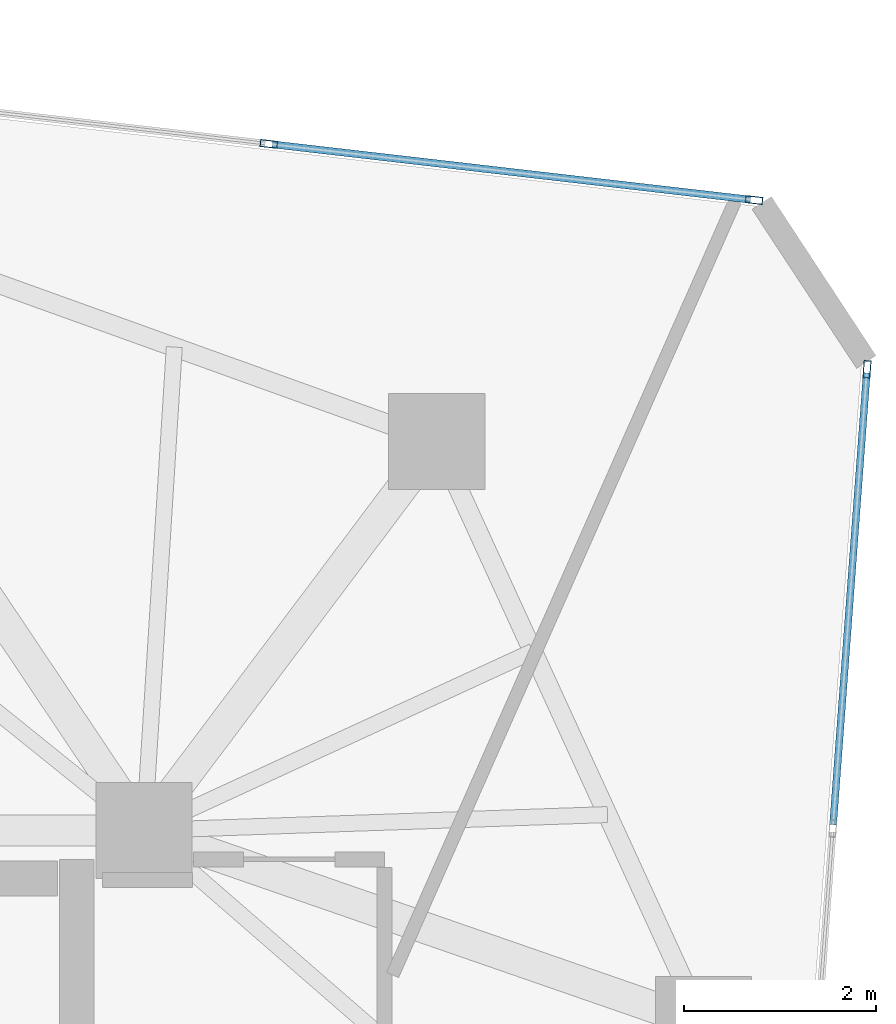
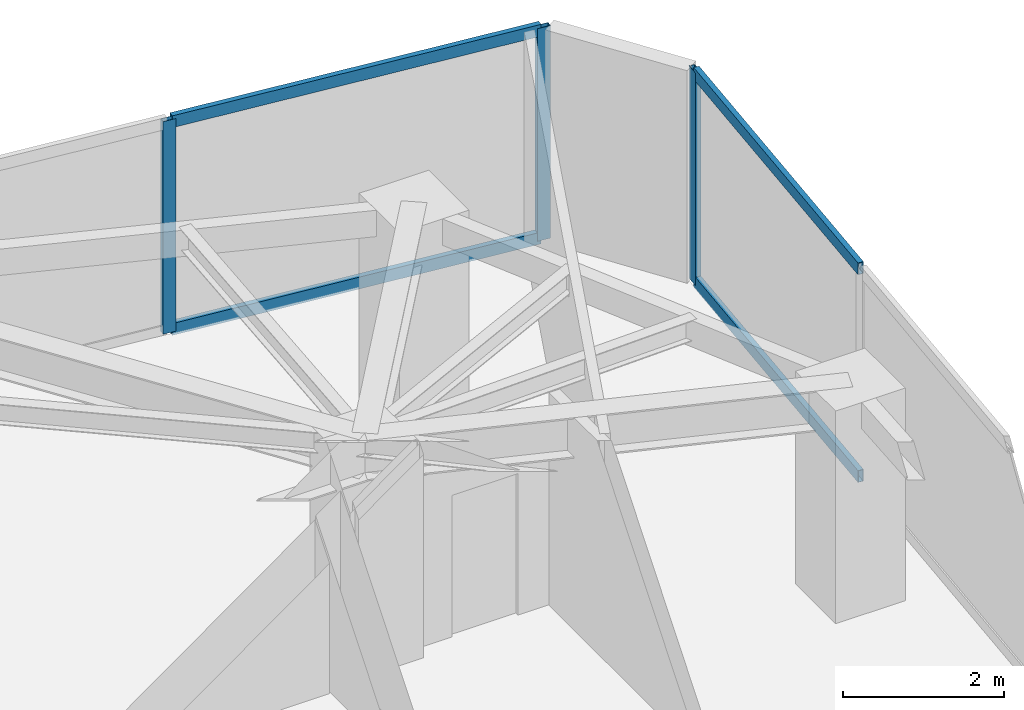
# One storey, part 14 of 19: 7 members, 2 elements without a shape of their own.
"""IFC4 building model written with IfcOpenShell, lengths in metres."""

from ifc_helpers import new_model, si_unit, direction, frame, origin, origin_2d, place, context, subcontext, project, spatial, hollow_rectangle, extrude, source, transform, mapped, material, layer, layer_set, material_profile, profile_set, type_object, type_shapes, element, aggregate, save


model = new_model("IFC4")

# Units and contexts
model_context = context("Model", 3, precision=1e-05, world=origin(), true_north=direction((0.0, 1.0)))
body_context = subcontext(model_context, "Body", "Model", "MODEL_VIEW")
ifc_project = project(units=[si_unit("LENGTHUNIT", "METRE"), si_unit("AREAUNIT", "SQUARE_METRE"), si_unit("VOLUMEUNIT", "CUBIC_METRE"), si_unit("PLANEANGLEUNIT", "RADIAN"), si_unit("MASSUNIT", "GRAM", prefix="KILO")], contexts=[model_context])

# Site, building, storey
site_placement = place(None, origin())
site = spatial("IfcSite", under=ifc_project, at=site_placement, CompositionType="ELEMENT")
building_placement = place(site_placement, origin())
building = spatial("IfcBuilding", under=site, at=building_placement, Name="Talar Marvaseh", CompositionType="ELEMENT")
storey_placement = place(building_placement, frame((0.0, 0.0, 222.199951171875)))
storey = spatial("IfcBuildingStorey", under=building, at=storey_placement, Name="L58", CompositionType="ELEMENT", Elevation=222.199951171875)

# Curtain wall, members
ifc_material = material(Name="Architectural Aluminium", Category="aluminium")
ifc_layer = layer(ifc_material, 0.18994140625)
ifc_layer_set = layer_set([ifc_layer], Name="Architectural Aluminium")
curtain_wall_type = type_object("IfcCurtainWallType", Name="Unitised Solar Atelier Curtain Wall Z3", PredefinedType="NOTDEFINED", material=ifc_layer_set)
curtain_wall_1_placement = place(storey_placement, origin())
curtain_wall_1 = element("IfcCurtainWall", 1, at=curtain_wall_1_placement, inside=storey, type_object=curtain_wall_type, Name="L58 Unitised Solar Atelier Curtain Wall Z3", PredefinedType="NOTDEFINED")
ifc_material_profile_1 = material_profile(ifc_material, hollow_rectangle(XDim=0.074951171875, YDim=0.179931640625, WallThickness=0.0048828125, at=origin_2d()), Name="RHS180x75x5")
ifc_profile_set_1 = profile_set([ifc_material_profile_1], Name="Architectural Aluminium")
member_type_1 = type_object("IfcMemberType", Name="Unitised Curtain Wall Standard Mullion RHS180x75x5", PredefinedType="MULLION", material=ifc_profile_set_1)
shared_shape_1 = source(origin(), body_context, "Body", "SweptSolid", [
    extrude(hollow_rectangle(XDim=0.074951171875, YDim=0.179931640625, WallThickness=0.0048828125, at=origin_2d()), origin(), (0.0, 0.0, 1.0), 3.22998046875),
])
type_shapes(member_type_1, [shared_shape_1])
member_1_placement = place(storey_placement, frame((34.59619140625, 44.033935546875, 0.0), z_axis=(0.0, 0.0, 1.0), x_axis=(0.114870315646, 0.993380496378, 0.0)))
member_1 = element("IfcMember", 2, at=member_1_placement, type_object=member_type_1, Name="CW-Z3 mullion 3", PredefinedType="MULLION", context=body_context, shape_type="MappedRepresentation", body=[
    mapped(shared_shape_1, transform((0.0, 0.0, 0.0), x_axis=(1.0, 0.0, 0.0), y_axis=(0.0, 1.0, 0.0), z_axis=(0.0, 0.0, 1.0), scale=1.0)),
])
member_2_placement = place(storey_placement, frame((39.63818359375, 43.450927734375, 0.0), z_axis=(0.0, 0.0, 1.0), x_axis=(0.114870315646, 0.993380496378, 0.0)))
member_2 = element("IfcMember", 3, at=member_2_placement, type_object=member_type_1, Name="CW-Z3 mullion 4", PredefinedType="MULLION", context=body_context, shape_type="MappedRepresentation", body=[
    mapped(shared_shape_1, transform((0.0, 0.0, 0.0), x_axis=(1.0, 0.0, 0.0), y_axis=(0.0, 1.0, 0.0), z_axis=(0.0, 0.0, 1.0), scale=1.0)),
])

# Curtain wall, member
curtain_wall_2_placement = place(storey_placement, origin())
curtain_wall_2 = element("IfcCurtainWall", 4, at=curtain_wall_2_placement, inside=storey, type_object=curtain_wall_type, Name="L58 Unitised Solar Atelier Curtain Wall Z3", PredefinedType="NOTDEFINED")
member_3_placement = place(storey_placement, frame((40.81201171875, 41.6923828125, 0.0), z_axis=(0.0, 0.0, 1.0), x_axis=(0.997238678211, -0.074263171764, 0.0)))
member_3 = element("IfcMember", 5, at=member_3_placement, type_object=member_type_1, Name="CW-Z3 mullion 1", PredefinedType="MULLION", context=body_context, shape_type="MappedRepresentation", body=[
    mapped(shared_shape_1, transform((0.0, 0.0, 0.0), x_axis=(1.0, 0.0, 0.0), y_axis=(0.0, 1.0, 0.0), z_axis=(0.0, 0.0, 1.0), scale=1.0)),
])

# Member
ifc_material_profile_2 = material_profile(ifc_material, hollow_rectangle(XDim=0.074951171875, YDim=0.179931640625, WallThickness=0.0048828125, at=origin_2d()), Name="RHS180x75x5")
ifc_profile_set_2 = profile_set([ifc_material_profile_2], Name="Architectural Aluminium")
member_type_2 = type_object("IfcMemberType", Name="Unitised Curtain Wall Transom RHS180x75x5", PredefinedType="USERDEFINED", material=ifc_profile_set_2)
shared_shape_2 = source(origin(), body_context, "Body", "SweptSolid", [
    extrude(hollow_rectangle(XDim=0.074951171875, YDim=0.179931640625, WallThickness=0.0048828125, at=origin_2d()), origin(), (0.0, 0.0, 1.0), 5.00048828125),
])
member_4_placement = place(storey_placement, frame((34.633544921875, 44.029541015625, 0.03759765625), z_axis=(0.993378965932, -0.114883549928, 0.0), x_axis=(0.114883549928, 0.993378965932, 0.0)))
member_4 = element("IfcMember", 6, at=member_4_placement, type_object=member_type_2, Name="CW-Z3 transom 3.1", ObjectType="TRANSOM", PredefinedType="USERDEFINED", context=body_context, shape_type="MappedRepresentation", body=[
    mapped(shared_shape_2, transform((0.0, 0.0, 0.0), x_axis=(1.0, 0.0, 0.0), y_axis=(0.0, 1.0, 0.0), z_axis=(0.0, 0.0, 1.0), scale=1.0)),
])

member_5_placement = place(storey_placement, frame((34.633544921875, 44.029541015625, 3.192626953125), z_axis=(0.993378965932, -0.114883549928, 0.0), x_axis=(0.114883549928, 0.993378965932, 0.0)))
member_5 = element("IfcMember", 7, at=member_5_placement, type_object=member_type_2, Name="CW-Z3 transom 3.2", ObjectType="TRANSOM", PredefinedType="USERDEFINED", context=body_context, shape_type="MappedRepresentation", body=[
    mapped(shared_shape_2, transform((0.0, 0.0, 0.0), x_axis=(1.0, 0.0, 0.0), y_axis=(0.0, 1.0, 0.0), z_axis=(0.0, 0.0, 1.0), scale=1.0)),
])

aggregate(curtain_wall_1, [member_1, member_2, member_4, member_5])

shared_shape_3 = source(origin(), body_context, "Body", "SweptSolid", [
    extrude(hollow_rectangle(XDim=0.074951171875, YDim=0.179931640625, WallThickness=0.0048828125, at=origin_2d()), origin(), (0.0, 0.0, 1.0), 4.70947265625),
])
type_shapes(member_type_2, [shared_shape_2, shared_shape_3])
member_6_placement = place(storey_placement, frame((40.809326171875, 41.655029296875, 0.03759765625), z_axis=(-0.07428604174, -0.997236974847, 0.0), x_axis=(0.997236974847, -0.07428604174, 0.0)))
member_6 = element("IfcMember", 8, at=member_6_placement, type_object=member_type_2, Name="CW-Z3 transom 1.1", ObjectType="TRANSOM", PredefinedType="USERDEFINED", context=body_context, shape_type="MappedRepresentation", body=[
    mapped(shared_shape_3, transform((0.0, 0.0, 0.0), x_axis=(1.0, 0.0, 0.0), y_axis=(0.0, 1.0, 0.0), z_axis=(0.0, 0.0, 1.0), scale=1.0)),
])

member_7_placement = place(storey_placement, frame((40.809326171875, 41.655029296875, 3.192626953125), z_axis=(-0.07428604174, -0.997236974847, 0.0), x_axis=(0.997236974847, -0.07428604174, 0.0)))
member_7 = element("IfcMember", 9, at=member_7_placement, type_object=member_type_2, Name="CW-Z3 transom 1.2", ObjectType="TRANSOM", PredefinedType="USERDEFINED", context=body_context, shape_type="MappedRepresentation", body=[
    mapped(shared_shape_3, transform((0.0, 0.0, 0.0), x_axis=(1.0, 0.0, 0.0), y_axis=(0.0, 1.0, 0.0), z_axis=(0.0, 0.0, 1.0), scale=1.0)),
])

aggregate(curtain_wall_2, [member_3, member_6, member_7])

save(model, "model.ifc")
